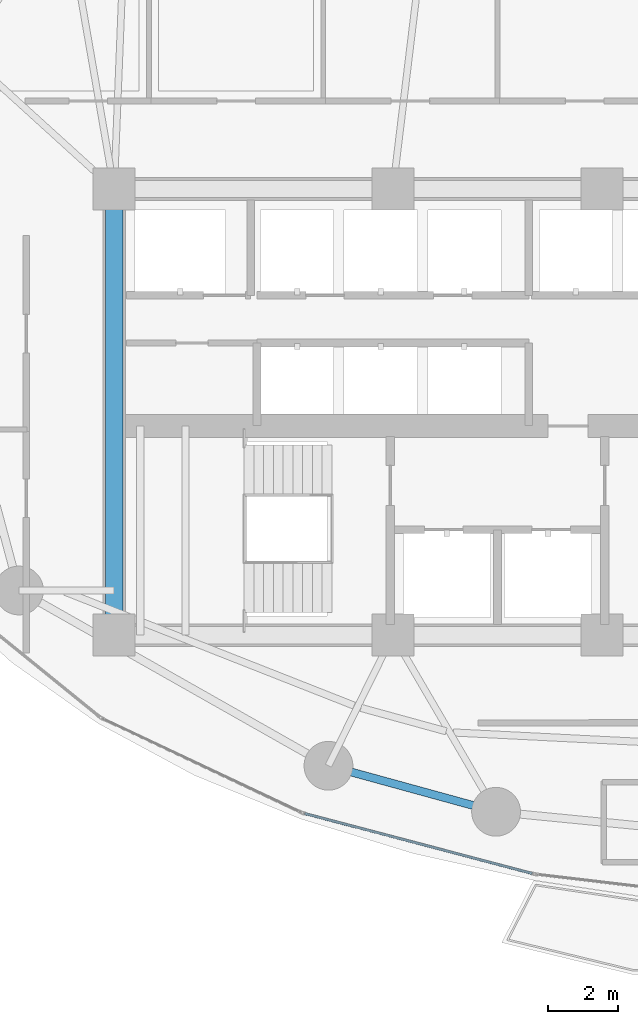
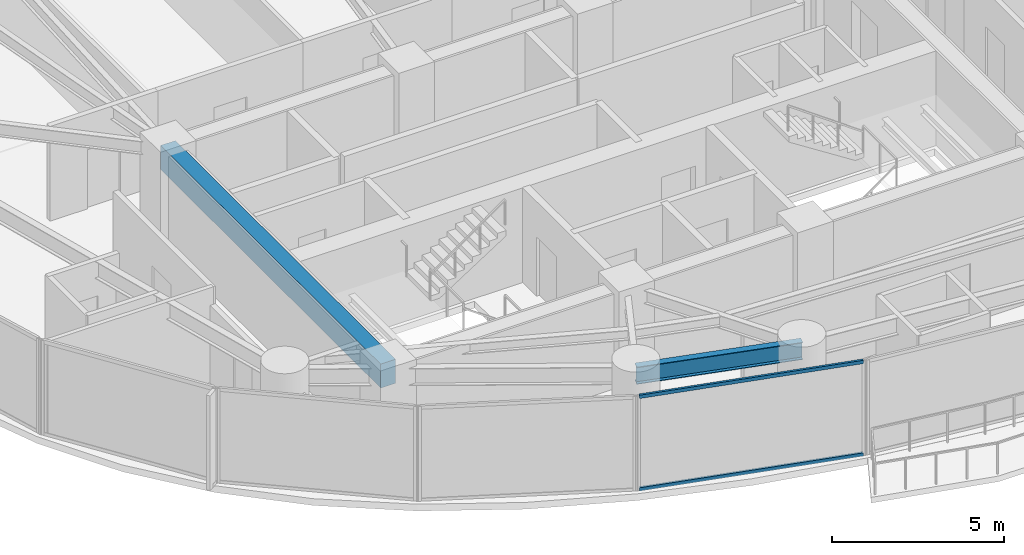
# One storey, part 4 of 30: 2 beams, 2 members, 1 element without a shape of its own.
"""IFC4 building model written with IfcOpenShell, lengths in metres."""

from ifc_helpers import new_model, si_unit, direction, frame, origin, origin_2d, place, context, subcontext, project, spatial, rectangle, hollow_rectangle, i_section, extrude, material, layer, layer_set, material_profile, profile_set, type_object, element, aggregate, save


model = new_model("IFC4")

# Units and contexts
model_context = context("Model", 3, precision=1e-05, world=origin(), true_north=direction((0.0, 1.0)))
body_context = subcontext(model_context, "Body", "Model", "MODEL_VIEW")
ifc_project = project(units=[si_unit("LENGTHUNIT", "METRE"), si_unit("AREAUNIT", "SQUARE_METRE"), si_unit("VOLUMEUNIT", "CUBIC_METRE"), si_unit("PLANEANGLEUNIT", "RADIAN"), si_unit("MASSUNIT", "GRAM", prefix="KILO")], contexts=[model_context])

# Site, building, storey
site_placement = place(None, origin())
site = spatial("IfcSite", under=ifc_project, at=site_placement, CompositionType="ELEMENT")
building_placement = place(site_placement, origin())
building = spatial("IfcBuilding", under=site, at=building_placement, Name="Kazevale Care Tower and Concert Hall", CompositionType="ELEMENT")
storey_placement = place(building_placement, frame((0.0, 0.0, 74.39990234375)))
storey = spatial("IfcBuildingStorey", under=building, at=storey_placement, Name="L19", CompositionType="ELEMENT", Elevation=74.39990234375)

# Curtain wall, members
ifc_material_1 = material(Name="Aluminium 6063-T6 and Low-E Glass", Category="aluminium")
ifc_layer = layer(ifc_material_1, 0.179931640625)
ifc_layer_set = layer_set([ifc_layer], Name="Aluminium 6063-T6 and Low-E Glass")
curtain_wall_type = type_object("IfcCurtainWallType", Name="Sheltered Concave Balcony Curtain Wall CW-5", PredefinedType="NOTDEFINED", material=ifc_layer_set)
curtain_wall_placement = place(storey_placement, origin())
curtain_wall = element("IfcCurtainWall", 1, at=curtain_wall_placement, inside=storey, type_object=curtain_wall_type, Name="cw:L19:f08", PredefinedType="NOTDEFINED")
ifc_material_2 = material(Name="Aluminium 6063-T6", Category="aluminium")
ifc_material_profile_1 = material_profile(ifc_material_2, hollow_rectangle(XDim=0.074951171875, YDim=0.1201171875, WallThickness=0.00390625, at=origin_2d()), Name="ALU75x120x4")
ifc_profile_set_1 = profile_set([ifc_material_profile_1], Name="Aluminium 6063-T6")
member_type = type_object("IfcMemberType", Name="CW-5 Transom ALU75x120x4", PredefinedType="USERDEFINED", material=ifc_profile_set_1)
member_1_placement = place(storey_placement, frame((33.995361328125, 16.760009765625, 0.03759765625), z_axis=(-0.966978405759, 0.254858319064, 0.0), x_axis=(-0.254858319064, -0.966978405759, 0.0)))
member_1 = element("IfcMember", 2, at=member_1_placement, type_object=member_type, Name="CW-5 transom 1.1", ObjectType="TRANSOM", PredefinedType="USERDEFINED", context=body_context, shape_type="SweptSolid", body=[
    extrude(hollow_rectangle(XDim=0.074951171875, YDim=0.1201171875, WallThickness=0.00390625, at=origin_2d()), origin(), (0.0, 0.0, 1.0), 6.748779296875),
])
member_2_placement = place(storey_placement, frame((33.995361328125, 16.760009765625, 3.322509765625), z_axis=(-0.966978405759, 0.254858319064, 0.0), x_axis=(-0.254858319064, -0.966978405759, 0.0)))
member_2 = element("IfcMember", 3, at=member_2_placement, type_object=member_type, Name="CW-5 transom 1.2", ObjectType="TRANSOM", PredefinedType="USERDEFINED", context=body_context, shape_type="SweptSolid", body=[
    extrude(hollow_rectangle(XDim=0.074951171875, YDim=0.1201171875, WallThickness=0.00390625, at=origin_2d()), origin(), (0.0, 0.0, 1.0), 6.748779296875),
])
aggregate(curtain_wall, [member_1, member_2])

# Beams
ifc_material_3 = material(Name="Concrete C60", Category="concrete")
ifc_material_profile_2 = material_profile(ifc_material_3, rectangle(XDim=0.5, YDim=0.85009765625, at=origin_2d()), Name="RC-B500x850")
ifc_profile_set_2 = profile_set([ifc_material_profile_2], Name="Concrete C60")
beam_type_1 = type_object("IfcBeamType", Name="Core Coupling Beam RC500x850", PredefinedType="LINTEL", material=ifc_profile_set_2)
beam_1_placement = place(storey_placement, frame((22.0, 36.39990234375, 2.93505859375), z_axis=(0.0, -1.0, 0.0), x_axis=(1.0, 0.0, 0.0)))
element("IfcBeam", 4, at=beam_1_placement, inside=storey, type_object=beam_type_1, Name="beam:L19:coretie:8", PredefinedType="LINTEL", context=body_context, shape_type="SweptSolid", body=[
    extrude(rectangle(XDim=0.5, YDim=0.85009765625, at=origin_2d()), origin(), (0.0, 0.0, 1.0), 12.7998046875),
])
ifc_material_4 = material(Name="Steel ASTM A572 Gr 50", Category="steel")
ifc_material_profile_3 = material_profile(ifc_material_4, i_section(OverallWidth=0.22900390625, OverallDepth=0.612060546875, WebThickness=0.011962890625, FlangeThickness=0.01953125, at=origin_2d()), Name="W610x125")
ifc_profile_set_3 = profile_set([ifc_material_profile_3], Name="Steel ASTM A572 Gr 50")
beam_type_2 = type_object("IfcBeamType", Name="Ring Spandrel Beam W610x125", PredefinedType="SPANDREL", material=ifc_profile_set_3)
beam_2_placement = place(storey_placement, frame((28.14990234375, 19.85009765625, 3.05419921875), z_axis=(0.964343540473, -0.264653615031, 0.0), x_axis=(0.264653615031, 0.964343540473, 0.0)))
element("IfcBeam", 5, at=beam_2_placement, inside=storey, type_object=beam_type_2, Name="beam:L19:ring:11", PredefinedType="SPANDREL", context=body_context, shape_type="SweptSolid", body=[
    extrude(i_section(OverallWidth=0.22900390625, OverallDepth=0.612060546875, WebThickness=0.011962890625, FlangeThickness=0.01953125, at=origin_2d()), origin(), (0.0, 0.0, 1.0), 4.98779296875),
])

save(model, "model.ifc")
